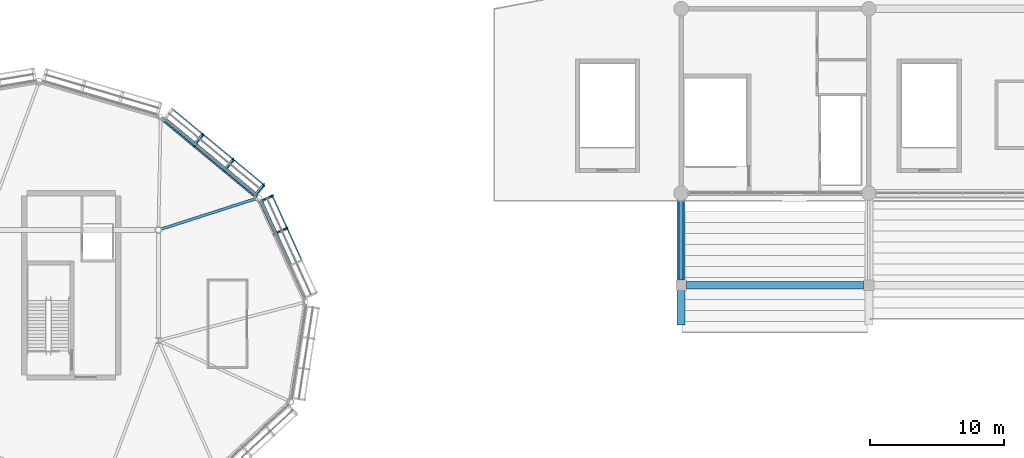
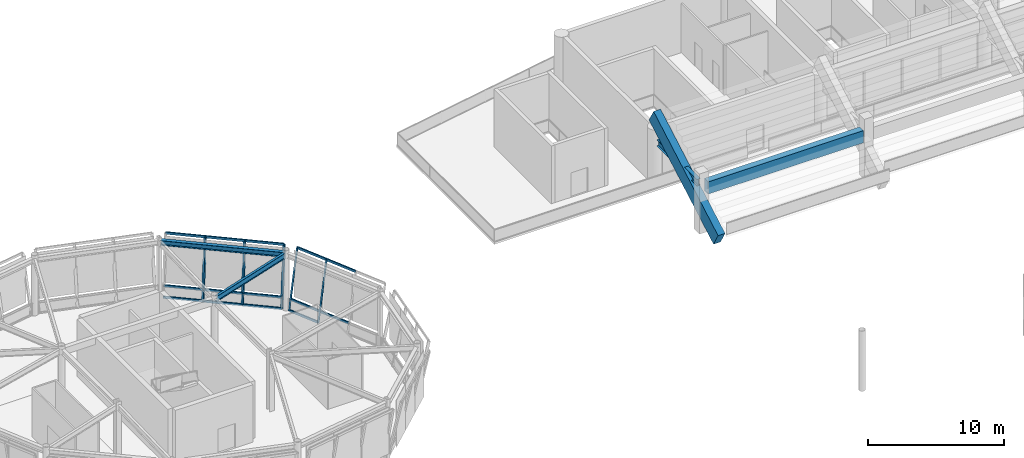
# One storey, part 46 of 90: 19 members, 5 beams, 2 elements without a shape of their own.
"""IFC4 building model written with IfcOpenShell, lengths in metres."""

from ifc_helpers import new_model, si_unit, direction, frame, origin, origin_2d, place, context, subcontext, project, spatial, rectangle, hollow_rectangle, i_section, extrude, material, material_profile, profile_set, type_object, element, aggregate, save


model = new_model("IFC4")

# Units and contexts
model_context = context("Model", 3, precision=1e-05, world=origin(), true_north=direction((0.0, 1.0)))
body_context = subcontext(model_context, "Body", "Model", "MODEL_VIEW")
ifc_project = project(units=[si_unit("LENGTHUNIT", "METRE"), si_unit("AREAUNIT", "SQUARE_METRE"), si_unit("VOLUMEUNIT", "CUBIC_METRE"), si_unit("PLANEANGLEUNIT", "RADIAN"), si_unit("MASSUNIT", "GRAM", prefix="KILO")], contexts=[model_context])

# Site, building, storey
site_placement = place(None, origin())
site = spatial("IfcSite", under=ifc_project, at=site_placement, CompositionType="ELEMENT")
building_placement = place(site_placement, origin())
building = spatial("IfcBuilding", under=site, at=building_placement, Name="Linyun Crest Stadium", CompositionType="ELEMENT")
storey_placement = place(building_placement, frame((0.0, 0.0, 21.0)))
storey = spatial("IfcBuildingStorey", under=building, at=storey_placement, Name="L05", CompositionType="ELEMENT", Elevation=21.0)

# Beams
ifc_material_1 = material(Name="Steel Q355C", Category="steel")
ifc_material_profile_1 = material_profile(ifc_material_1, i_section(OverallWidth=0.300048828125, OverallDepth=0.43994140625, WebThickness=0.010986328125, FlangeThickness=0.01806640625, at=origin_2d()), Name="HM 440x300")
ifc_profile_set_1 = profile_set([ifc_material_profile_1], Name="Steel Q355C")
beam_type_1 = type_object("IfcBeamType", Name="B07", PredefinedType="BEAM", material=ifc_profile_set_1)
beam_1_placement = place(storey_placement, frame((-59.65087890625, 91.217041015625, 4.929931640625), z_axis=(-0.770371409823, 0.637595397512, 0.0), x_axis=(-0.637595397512, -0.770371409823, 0.0)))
element("IfcBeam", 1, at=beam_1_placement, inside=storey, type_object=beam_type_1, Name="Pod ring girder B07 L05 53", PredefinedType="BEAM", context=body_context, shape_type="SweptSolid", body=[
    extrude(i_section(OverallWidth=0.300048828125, OverallDepth=0.43994140625, WebThickness=0.010986328125, FlangeThickness=0.01806640625, at=origin_2d()), origin(), (0.0, 0.0, 1.0), 9.204833984375),
])
ifc_material_2 = material(Name="Steel Q355C", Category="steel")
ifc_material_profile_2 = material_profile(ifc_material_2, i_section(OverallWidth=0.300048828125, OverallDepth=0.587890625, WebThickness=0.011962890625, FlangeThickness=0.02001953125, at=origin_2d()), Name="HM 588x300")
ifc_profile_set_2 = profile_set([ifc_material_profile_2], Name="Steel Q355C")
beam_type_2 = type_object("IfcBeamType", Name="B09", PredefinedType="BEAM", material=ifc_profile_set_2)
beam_2_placement = place(storey_placement, frame((-28.0, 85.02490234375, 4.041015625), z_axis=(0.0, 1.0, 0.0), x_axis=(-1.0, 0.0, 0.0)))
element("IfcBeam", 2, at=beam_2_placement, inside=storey, type_object=beam_type_2, Name="Frame beam B09 L05 828", PredefinedType="BEAM", context=body_context, shape_type="SweptSolid", body=[
    extrude(i_section(OverallWidth=0.300048828125, OverallDepth=0.587890625, WebThickness=0.011962890625, FlangeThickness=0.02001953125, at=origin_2d()), origin(), (0.0, 0.0, 1.0), 5.925048828125),
])
ifc_material_3 = material(Name="Steel Q355C", Category="steel")
ifc_material_profile_3 = material_profile(ifc_material_3, i_section(OverallWidth=0.199951171875, OverallDepth=0.5, WebThickness=0.010009765625, FlangeThickness=0.01611328125, at=origin_2d()), Name="HN 500x200")
ifc_profile_set_3 = profile_set([ifc_material_profile_3], Name="Steel Q355C")
beam_type_3 = type_object("IfcBeamType", Name="B10", PredefinedType="BEAM", material=ifc_profile_set_3)
beam_3_placement = place(storey_placement, frame((-66.81005859375, 88.81103515625, 4.89990234375), z_axis=(0.952088987816, 0.305821123011, 0.0), x_axis=(-0.305821123011, 0.952088987816, 0.0)))
element("IfcBeam", 3, at=beam_3_placement, inside=storey, type_object=beam_type_3, Name="Pod radial tie girder B10 L05 54", PredefinedType="BEAM", context=body_context, shape_type="SweptSolid", body=[
    extrude(i_section(OverallWidth=0.199951171875, OverallDepth=0.5, WebThickness=0.010009765625, FlangeThickness=0.01611328125, at=origin_2d()), origin(), (0.0, 0.0, 1.0), 7.396240234375),
])

# Curtain wall, members
ifc_material_4 = material(Name="Verdigris steel and low-E curtain wall assembly", Category="steel")
curtain_wall_type = type_object("IfcCurtainWallType", Name="MCW04", PredefinedType="NOTDEFINED", material=ifc_material_4)
curtain_wall_1_placement = place(storey_placement, origin())
curtain_wall_1 = element("IfcCurtainWall", 4, at=curtain_wall_1_placement, inside=storey, type_object=curtain_wall_type, Name="CWR-014", PredefinedType="NOTDEFINED")
ifc_material_5 = material(Name="Verdigris painted steel Q355C pod mullion", Category="steel")
ifc_material_profile_4 = material_profile(ifc_material_5, hollow_rectangle(XDim=0.1201171875, YDim=0.219970703125, WallThickness=0.008056640625, at=origin_2d()), Name="RHS 220x120x8")
ifc_profile_set_4 = profile_set([ifc_material_profile_4], Name="Verdigris painted steel Q355C pod mullion")
member_type_1 = type_object("IfcMemberType", Name="ML04", PredefinedType="MULLION", material=ifc_profile_set_4)
member_1_placement = place(storey_placement, frame((-58.337890625, 88.4599609375, 0.0), z_axis=(0.181461695905, 0.082504080082, 0.979930982105), x_axis=(0.746444035953, -0.66029784239, -0.082632079273)))
member_1 = element("IfcMember", 5, at=member_1_placement, type_object=member_type_1, Name="CWR-014 mullion 3", PredefinedType="MULLION", context=body_context, shape_type="SweptSolid", body=[
    extrude(hollow_rectangle(XDim=0.1201171875, YDim=0.219970703125, WallThickness=0.008056640625, at=origin_2d()), origin(), (0.0, 0.0, 1.0), 5.16357421875),
])
member_2_placement = place(storey_placement, frame((-59.43505859375, 90.866943359375, 0.0), z_axis=(0.181458861331, 0.08269190945, 0.979915674819), x_axis=(0.747008040281, -0.659655798184, -0.082663266794)))
member_2 = element("IfcMember", 6, at=member_2_placement, type_object=member_type_1, Name="CWR-014 mullion 4", PredefinedType="MULLION", context=body_context, shape_type="SweptSolid", body=[
    extrude(hollow_rectangle(XDim=0.1201171875, YDim=0.219970703125, WallThickness=0.008056640625, at=origin_2d()), origin(), (0.0, 0.0, 1.0), 5.163818359375),
])

curtain_wall_2_placement = place(storey_placement, origin())
curtain_wall_2 = element("IfcCurtainWall", 7, at=curtain_wall_2_placement, inside=storey, type_object=curtain_wall_type, Name="CWR-015", PredefinedType="NOTDEFINED")
member_3_placement = place(storey_placement, frame((-59.7900390625, 91.3310546875, 0.0), z_axis=(0.127228985463, 0.153563636115, 0.979913769125), x_axis=(0.972618583127, 0.174402528684, -0.153612661409)))
member_3 = element("IfcMember", 8, at=member_3_placement, type_object=member_type_1, Name="CWR-015 mullion 1", PredefinedType="MULLION", context=body_context, shape_type="SweptSolid", body=[
    extrude(hollow_rectangle(XDim=0.1201171875, YDim=0.219970703125, WallThickness=0.008056640625, at=origin_2d()), origin(), (0.0, 0.0, 1.0), 5.163818359375),
])
member_4_placement = place(storey_placement, frame((-62.06103515625, 93.2109375, 0.0), z_axis=(0.127228985463, 0.153563636115, 0.979913769125), x_axis=(0.972618583127, 0.174402528684, -0.153612661409)))
member_4 = element("IfcMember", 9, at=member_4_placement, type_object=member_type_1, Name="CWR-015 mullion 2", PredefinedType="MULLION", context=body_context, shape_type="SweptSolid", body=[
    extrude(hollow_rectangle(XDim=0.1201171875, YDim=0.219970703125, WallThickness=0.008056640625, at=origin_2d()), origin(), (0.0, 0.0, 1.0), 5.163818359375),
])
member_5_placement = place(storey_placement, frame((-64.33203125, 95.092041015625, 0.0), z_axis=(0.127228985463, 0.153563636115, 0.979913769125), x_axis=(0.972618583127, 0.174402528684, -0.153612661409)))
member_5 = element("IfcMember", 10, at=member_5_placement, type_object=member_type_1, Name="CWR-015 mullion 3", PredefinedType="MULLION", context=body_context, shape_type="SweptSolid", body=[
    extrude(hollow_rectangle(XDim=0.1201171875, YDim=0.219970703125, WallThickness=0.008056640625, at=origin_2d()), origin(), (0.0, 0.0, 1.0), 5.163818359375),
])

# Beams
ifc_material_6 = material(Name="Precast concrete C50", Category="concrete")
ifc_material_profile_5 = material_profile(ifc_material_6, rectangle(XDim=0.60009765625, YDim=1.35009765625, at=origin_2d()), Name="PCR 1350x600")
ifc_profile_set_5 = profile_set([ifc_material_profile_5], Name="Precast concrete C50")
beam_type_4 = type_object("IfcBeamType", Name="RB03", PredefinedType="USERDEFINED", material=ifc_profile_set_5)
beam_4_placement = place(storey_placement, frame((-28.0, 82.0, 0.800048828125), z_axis=(0.0, 0.869371049884, 0.494159870511), x_axis=(-1.0, 0.0, 0.0)))
element("IfcBeam", 11, at=beam_4_placement, inside=storey, type_object=beam_type_4, Name="Precast raker beam RB03 V3 68", ObjectType="RAKER", PredefinedType="USERDEFINED", context=body_context, shape_type="SweptSolid", body=[
    extrude(rectangle(XDim=0.60009765625, YDim=1.35009765625, at=origin_2d()), origin(), (0.0, 0.0, 1.0), 10.927490234375),
])
ifc_material_7 = material(Name="Concrete C50", Category="concrete")
ifc_material_profile_6 = material_profile(ifc_material_7, rectangle(XDim=0.550048828125, YDim=1.10009765625, at=origin_2d()), Name="RCB 1100x550")
ifc_profile_set_6 = profile_set([ifc_material_profile_6], Name="Concrete C50")
beam_type_5 = type_object("IfcBeamType", Name="TB01", PredefinedType="USERDEFINED", material=ifc_profile_set_6)
beam_5_placement = place(storey_placement, frame((-27.60009765625, 84.625, 3.784912109375), z_axis=(1.0, 0.0, 0.0), x_axis=(0.0, 1.0, 0.0)))
element("IfcBeam", 12, at=beam_5_placement, inside=storey, type_object=beam_type_5, Name="Frame beam TB01 L05 820", ObjectType="GIRDER", PredefinedType="USERDEFINED", context=body_context, shape_type="SweptSolid", body=[
    extrude(rectangle(XDim=0.550048828125, YDim=1.10009765625, at=origin_2d()), origin(), (0.0, 0.0, 1.0), 13.2001953125),
])

# Member
ifc_material_8 = material(Name="Verdigris painted steel Q355C transom", Category="steel")
ifc_material_profile_7 = material_profile(ifc_material_8, hollow_rectangle(XDim=0.10009765625, YDim=0.199951171875, WallThickness=0.008056640625, at=origin_2d()), Name="RHS 200x100x8")
ifc_profile_set_7 = profile_set([ifc_material_profile_7], Name="Verdigris painted steel Q355C transom")
member_type_2 = type_object("IfcMemberType", Name="TR03", PredefinedType="USERDEFINED", material=ifc_profile_set_7)
member_6_placement = place(storey_placement, frame((-57.074951171875, 86.1279296875, 0.89990234375), z_axis=(-0.414629980899, 0.909990098265, 0.0), x_axis=(-0.909990098265, -0.414629980899, 0.0)))
member_6 = element("IfcMember", 13, at=member_6_placement, type_object=member_type_2, Name="CWR-014 transom 2.2", ObjectType="TRANSOM", PredefinedType="USERDEFINED", context=body_context, shape_type="SweptSolid", body=[
    extrude(hollow_rectangle(XDim=0.10009765625, YDim=0.199951171875, WallThickness=0.008056640625, at=origin_2d()), origin(), (0.0, 0.0, 1.0), 2.646240234375),
])

member_7_placement = place(storey_placement, frame((-56.304931640625, 86.47900390625, 5.06005859375), z_axis=(-0.414387078143, 0.91010073589, 0.0), x_axis=(-0.91010073589, -0.414387078143, 0.0)))
member_7 = element("IfcMember", 14, at=member_7_placement, type_object=member_type_2, Name="CWR-014 transom 2.3", ObjectType="TRANSOM", PredefinedType="USERDEFINED", context=body_context, shape_type="SweptSolid", body=[
    extrude(hollow_rectangle(XDim=0.10009765625, YDim=0.199951171875, WallThickness=0.008056640625, at=origin_2d()), origin(), (0.0, 0.0, 1.0), 2.644775390625),
])

member_8_placement = place(storey_placement, frame((-58.337890625, 88.4599609375, 0.0), z_axis=(-0.414769269545, 0.909926619591, 0.0), x_axis=(-0.909926619591, -0.414769269545, 0.0)))
member_8 = element("IfcMember", 15, at=member_8_placement, type_object=member_type_2, Name="CWR-014 transom 3.1", ObjectType="TRANSOM", PredefinedType="USERDEFINED", context=body_context, shape_type="SweptSolid", body=[
    extrude(hollow_rectangle(XDim=0.10009765625, YDim=0.199951171875, WallThickness=0.008056640625, at=origin_2d()), origin(), (0.0, 0.0, 1.0), 2.645263671875),
])

member_9_placement = place(storey_placement, frame((-58.172119140625, 88.535888671875, 0.89990234375), z_axis=(-0.414352266897, 0.910116585343, 0.0), x_axis=(-0.910116585343, -0.414352266897, 0.0)))
member_9 = element("IfcMember", 16, at=member_9_placement, type_object=member_type_2, Name="CWR-014 transom 3.2", ObjectType="TRANSOM", PredefinedType="USERDEFINED", context=body_context, shape_type="SweptSolid", body=[
    extrude(hollow_rectangle(XDim=0.10009765625, YDim=0.199951171875, WallThickness=0.008056640625, at=origin_2d()), origin(), (0.0, 0.0, 1.0), 2.64501953125),
])

member_10_placement = place(storey_placement, frame((-57.40087890625, 88.885986328125, 5.06005859375), z_axis=(-0.414629980899, 0.909990098265, 0.0), x_axis=(-0.909990098265, -0.414629980899, 0.0)))
member_10 = element("IfcMember", 17, at=member_10_placement, type_object=member_type_2, Name="CWR-014 transom 3.3", ObjectType="TRANSOM", PredefinedType="USERDEFINED", context=body_context, shape_type="SweptSolid", body=[
    extrude(hollow_rectangle(XDim=0.10009765625, YDim=0.199951171875, WallThickness=0.008056640625, at=origin_2d()), origin(), (0.0, 0.0, 1.0), 2.646240234375),
])

aggregate(curtain_wall_1, [member_1, member_2, member_6, member_7, member_8, member_9, member_10])

member_11_placement = place(storey_placement, frame((-59.7900390625, 91.3310546875, 0.0), z_axis=(-0.770321380351, 0.63765584054, 0.0), x_axis=(-0.63765584054, -0.770321380351, 0.0)))
member_11 = element("IfcMember", 18, at=member_11_placement, type_object=member_type_2, Name="CWR-015 transom 1.1", ObjectType="TRANSOM", PredefinedType="USERDEFINED", context=body_context, shape_type="SweptSolid", body=[
    extrude(hollow_rectangle(XDim=0.10009765625, YDim=0.199951171875, WallThickness=0.008056640625, at=origin_2d()), origin(), (0.0, 0.0, 1.0), 2.947998046875),
])

member_12_placement = place(storey_placement, frame((-59.673095703125, 91.471923828125, 0.89990234375), z_axis=(-0.770280703464, 0.637704977142, 0.0), x_axis=(-0.637704977142, -0.770280703464, 0.0)))
member_12 = element("IfcMember", 19, at=member_12_placement, type_object=member_type_2, Name="CWR-015 transom 1.2", ObjectType="TRANSOM", PredefinedType="USERDEFINED", context=body_context, shape_type="SweptSolid", body=[
    extrude(hollow_rectangle(XDim=0.10009765625, YDim=0.199951171875, WallThickness=0.008056640625, at=origin_2d()), origin(), (0.0, 0.0, 1.0), 2.9482421875),
])

member_13_placement = place(storey_placement, frame((-59.133056640625, 92.1240234375, 5.06005859375), z_axis=(-0.770321380351, 0.63765584054, 0.0), x_axis=(-0.63765584054, -0.770321380351, 0.0)))
member_13 = element("IfcMember", 20, at=member_13_placement, type_object=member_type_2, Name="CWR-015 transom 1.3", ObjectType="TRANSOM", PredefinedType="USERDEFINED", context=body_context, shape_type="SweptSolid", body=[
    extrude(hollow_rectangle(XDim=0.10009765625, YDim=0.199951171875, WallThickness=0.008056640625, at=origin_2d()), origin(), (0.0, 0.0, 1.0), 2.947998046875),
])

member_14_placement = place(storey_placement, frame((-62.06103515625, 93.2109375, 0.0), z_axis=(-0.770118007544, 0.637901445724, 0.0), x_axis=(-0.637901445724, -0.770118007544, 0.0)))
member_14 = element("IfcMember", 21, at=member_14_placement, type_object=member_type_2, Name="CWR-015 transom 2.1", ObjectType="TRANSOM", PredefinedType="USERDEFINED", context=body_context, shape_type="SweptSolid", body=[
    extrude(hollow_rectangle(XDim=0.10009765625, YDim=0.199951171875, WallThickness=0.008056640625, at=origin_2d()), origin(), (0.0, 0.0, 1.0), 2.948974609375),
])

member_15_placement = place(storey_placement, frame((-61.944091796875, 93.35205078125, 0.89990234375), z_axis=(-0.770158679778, 0.63785234025, 0.0), x_axis=(-0.63785234025, -0.770158679778, 0.0)))
member_15 = element("IfcMember", 22, at=member_15_placement, type_object=member_type_2, Name="CWR-015 transom 2.2", ObjectType="TRANSOM", PredefinedType="USERDEFINED", context=body_context, shape_type="SweptSolid", body=[
    extrude(hollow_rectangle(XDim=0.10009765625, YDim=0.199951171875, WallThickness=0.008056640625, at=origin_2d()), origin(), (0.0, 0.0, 1.0), 2.94873046875),
])

member_16_placement = place(storey_placement, frame((-61.404052734375, 94.00390625, 5.06005859375), z_axis=(-0.770118007544, 0.637901445724, 0.0), x_axis=(-0.637901445724, -0.770118007544, 0.0)))
member_16 = element("IfcMember", 23, at=member_16_placement, type_object=member_type_2, Name="CWR-015 transom 2.3", ObjectType="TRANSOM", PredefinedType="USERDEFINED", context=body_context, shape_type="SweptSolid", body=[
    extrude(hollow_rectangle(XDim=0.10009765625, YDim=0.199951171875, WallThickness=0.008056640625, at=origin_2d()), origin(), (0.0, 0.0, 1.0), 2.948974609375),
])

member_17_placement = place(storey_placement, frame((-64.33203125, 95.092041015625, 0.0), z_axis=(-0.770321380351, 0.63765584054, 0.0), x_axis=(-0.63765584054, -0.770321380351, 0.0)))
member_17 = element("IfcMember", 24, at=member_17_placement, type_object=member_type_2, Name="CWR-015 transom 3.1", ObjectType="TRANSOM", PredefinedType="USERDEFINED", context=body_context, shape_type="SweptSolid", body=[
    extrude(hollow_rectangle(XDim=0.10009765625, YDim=0.199951171875, WallThickness=0.008056640625, at=origin_2d()), origin(), (0.0, 0.0, 1.0), 2.947998046875),
])

member_18_placement = place(storey_placement, frame((-64.215087890625, 95.23291015625, 0.89990234375), z_axis=(-0.770280703464, 0.637704977142, 0.0), x_axis=(-0.637704977142, -0.770280703464, 0.0)))
member_18 = element("IfcMember", 25, at=member_18_placement, type_object=member_type_2, Name="CWR-015 transom 3.2", ObjectType="TRANSOM", PredefinedType="USERDEFINED", context=body_context, shape_type="SweptSolid", body=[
    extrude(hollow_rectangle(XDim=0.10009765625, YDim=0.199951171875, WallThickness=0.008056640625, at=origin_2d()), origin(), (0.0, 0.0, 1.0), 2.9482421875),
])

member_19_placement = place(storey_placement, frame((-63.675048828125, 95.885009765625, 5.06005859375), z_axis=(-0.770321380351, 0.63765584054, 0.0), x_axis=(-0.63765584054, -0.770321380351, 0.0)))
member_19 = element("IfcMember", 26, at=member_19_placement, type_object=member_type_2, Name="CWR-015 transom 3.3", ObjectType="TRANSOM", PredefinedType="USERDEFINED", context=body_context, shape_type="SweptSolid", body=[
    extrude(hollow_rectangle(XDim=0.10009765625, YDim=0.199951171875, WallThickness=0.008056640625, at=origin_2d()), origin(), (0.0, 0.0, 1.0), 2.947998046875),
])

aggregate(curtain_wall_2, [member_3, member_4, member_5, member_11, member_12, member_13, member_14, member_15, member_16, member_17, member_18, member_19])

save(model, "model.ifc")
